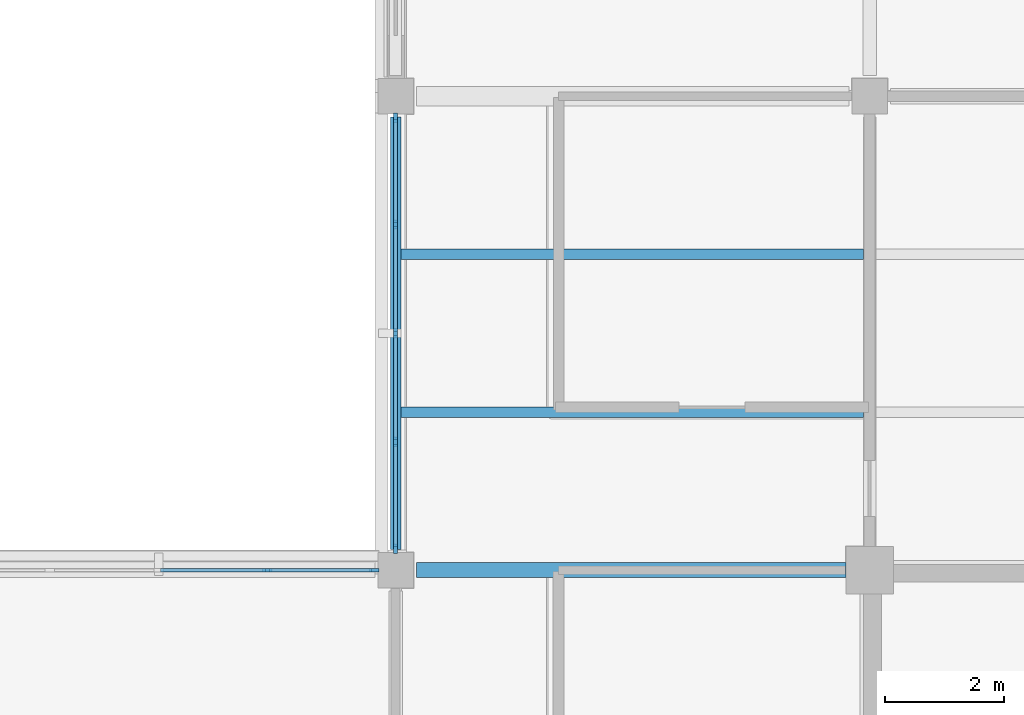
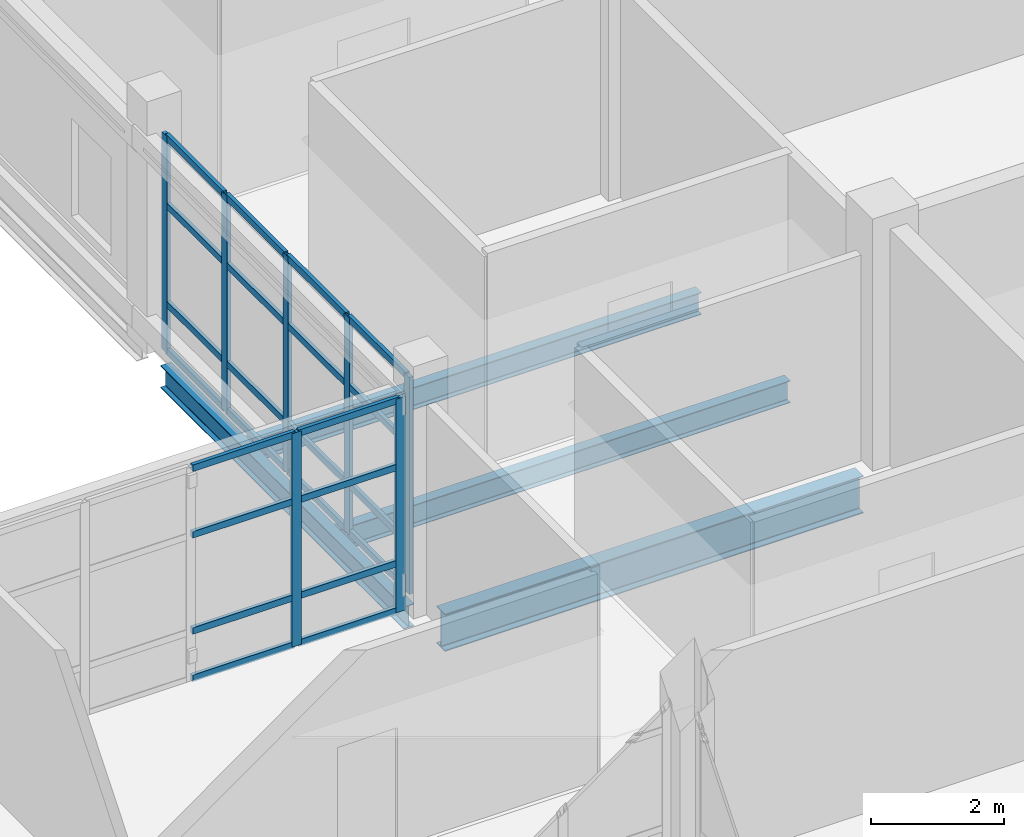
# One storey, part 21 of 121: 31 members, 4 beams, 2 elements without a shape of their own.
"""IFC4 building model written with IfcOpenShell, lengths in metres."""

from ifc_helpers import new_model, si_unit, derived_unit, direction, frame, origin, origin_2d, place, context, subcontext, project, spatial, rectangle, i_section, extrude, material, layer, layer_set, material_profile, profile_set, type_object, element, aggregate, save


model = new_model("IFC4")

# Units and contexts
model_context = context("Model", 3, precision=1e-05, world=origin(), true_north=direction((0.0, 1.0)))
body_context = subcontext(model_context, "Body", "Model", "MODEL_VIEW")
ifc_project = project(units=[si_unit("LENGTHUNIT", "METRE"), si_unit("AREAUNIT", "SQUARE_METRE"), si_unit("VOLUMEUNIT", "CUBIC_METRE"), si_unit("PLANEANGLEUNIT", "RADIAN"), si_unit("MASSUNIT", "GRAM", prefix="KILO"), derived_unit("THERMALTRANSMITTANCEUNIT", [(si_unit("MASSUNIT", "GRAM", prefix="KILO"), 1), (si_unit("TIMEUNIT", "SECOND"), -3), (si_unit("THERMODYNAMICTEMPERATUREUNIT", "KELVIN"), -1)])], contexts=[model_context])

# Site, building, storey
site_placement = place(None, origin())
site = spatial("IfcSite", under=ifc_project, at=site_placement, CompositionType="ELEMENT")
building_placement = place(site_placement, origin())
building = spatial("IfcBuilding", under=site, at=building_placement, Name="Veyamyaing Civic Hall", CompositionType="ELEMENT")
storey_placement = place(building_placement, frame((0.0, 0.0, 5.280029296875)))
storey = spatial("IfcBuildingStorey", under=building, at=storey_placement, Name="L01", CompositionType="ELEMENT", Elevation=5.280029296875)

# Beams
ifc_material_1 = material(Name="Steel ASTM A992", Category="steel")
ifc_material_profile_1 = material_profile(ifc_material_1, i_section(OverallWidth=0.179931640625, OverallDepth=0.4130859375, WebThickness=0.009765625, FlangeThickness=0.01611328125, FilletRadius=0.010009765625, at=origin_2d()), Name="W410X74")
ifc_profile_set_1 = profile_set([ifc_material_profile_1], Name="Steel ASTM A992")
beam_type_1 = type_object("IfcBeamType", Name="B-10", PredefinedType="SPANDREL", material=ifc_profile_set_1)
beam_1_placement = place(storey_placement, frame((56.0, 56.35009765625, -0.451416015625), z_axis=(0.0, 1.0, 0.0), x_axis=(-1.0, 0.0, 0.0)))
element("IfcBeam", 1, at=beam_1_placement, inside=storey, type_object=beam_type_1, Name="Girder B-10 L01 Grid 8 H-J", PredefinedType="SPANDREL", context=body_context, shape_type="SweptSolid", body=[
    extrude(i_section(OverallWidth=0.179931640625, OverallDepth=0.4130859375, WebThickness=0.009765625, FlangeThickness=0.01611328125, FilletRadius=0.010009765625, at=origin_2d()), origin(), (0.0, 0.0, 1.0), 7.2998046875),
])
ifc_material_profile_2 = material_profile(ifc_material_1, i_section(OverallWidth=0.25390625, OverallDepth=0.68408203125, WebThickness=0.012451171875, FlangeThickness=0.01904296875, FilletRadius=0.013916015625, at=origin_2d()), Name="W690X140")
ifc_profile_set_2 = profile_set([ifc_material_profile_2], Name="Steel ASTM A992")
beam_type_2 = type_object("IfcBeamType", Name="B-14", PredefinedType="BEAM", material=ifc_profile_set_2)
beam_2_placement = place(storey_placement, frame((56.35009765625, 56.0, -0.5869140625), z_axis=(1.0, 0.0, 0.0), x_axis=(0.0, 1.0, 0.0)))
element("IfcBeam", 2, at=beam_2_placement, inside=storey, type_object=beam_type_2, Name="Girder B-14 L01 Grid H 8-9", PredefinedType="BEAM", context=body_context, shape_type="SweptSolid", body=[
    extrude(i_section(OverallWidth=0.25390625, OverallDepth=0.68408203125, WebThickness=0.012451171875, FlangeThickness=0.01904296875, FilletRadius=0.013916015625, at=origin_2d()), origin(), (0.0, 0.0, 1.0), 7.25),
])

# Curtain wall, members
ifc_material_2 = material(Name="Anodised aluminium 6063-T6", Category="aluminium")
ifc_layer = layer(ifc_material_2, 0.159912109375, Name="Anodised aluminium 6063-T6")
ifc_layer_set = layer_set([ifc_layer], Name="Anodised aluminium 6063-T6")
curtain_wall_type = type_object("IfcCurtainWallType", Name="CW-02", PredefinedType="NOTDEFINED", material=ifc_layer_set)
curtain_wall_1_placement = place(storey_placement, origin())
curtain_wall_1 = element("IfcCurtainWall", 3, at=curtain_wall_1_placement, inside=storey, type_object=curtain_wall_type, Name="Unitized curtain wall CW-02 L01 N 7.7", PredefinedType="NOTDEFINED")
ifc_material_profile_3 = material_profile(ifc_material_2, rectangle(XDim=0.06494140625, YDim=0.159912109375, at=origin_2d()), Name="ALU-MUL-65X160")
ifc_profile_set_3 = profile_set([ifc_material_profile_3], Name="Anodised aluminium 6063-T6")
member_type_1 = type_object("IfcMemberType", Name="CWM-01", PredefinedType="MULLION", material=ifc_profile_set_3)
member_1_placement = place(storey_placement, frame((53.8349609375, 56.0, 0.0), z_axis=(0.0, 0.0, 1.0), x_axis=(0.0, 1.0, 0.0)))
member_1 = element("IfcMember", 4, at=member_1_placement, type_object=member_type_1, Name="CW-02 mullion 4", PredefinedType="MULLION", context=body_context, shape_type="SweptSolid", body=[
    extrude(rectangle(XDim=0.06494140625, YDim=0.159912109375, at=origin_2d()), origin(), (0.0, 0.0, 1.0), 3.9140625),
])
member_2_placement = place(storey_placement, frame((55.637451171875, 56.0, 0.0), z_axis=(0.0, 0.0, 1.0), x_axis=(0.0, 1.0, 0.0)))
member_2 = element("IfcMember", 5, at=member_2_placement, type_object=member_type_1, Name="CW-02 mullion 5", PredefinedType="MULLION", context=body_context, shape_type="SweptSolid", body=[
    extrude(rectangle(XDim=0.06494140625, YDim=0.159912109375, at=origin_2d()), origin(), (0.0, 0.0, 1.0), 3.9140625),
])

curtain_wall_2_placement = place(storey_placement, origin())
curtain_wall_2 = element("IfcCurtainWall", 6, at=curtain_wall_2_placement, inside=storey, type_object=curtain_wall_type, Name="Unitized curtain wall CW-02 L01 W 8.8", PredefinedType="NOTDEFINED")
member_3_placement = place(storey_placement, frame((56.0, 56.362548828125, 0.0), z_axis=(0.0, 0.0, 1.0), x_axis=(-1.0, 0.0, 0.0)))
member_3 = element("IfcMember", 7, at=member_3_placement, type_object=member_type_1, Name="CW-02 mullion 1", PredefinedType="MULLION", context=body_context, shape_type="SweptSolid", body=[
    extrude(rectangle(XDim=0.06494140625, YDim=0.159912109375, at=origin_2d()), origin(), (0.0, 0.0, 1.0), 3.97705078125),
])
member_4_placement = place(storey_placement, frame((56.0, 58.1650390625, 0.0), z_axis=(0.0, 0.0, 1.0), x_axis=(-1.0, 0.0, 0.0)))
member_4 = element("IfcMember", 8, at=member_4_placement, type_object=member_type_1, Name="CW-02 mullion 2", PredefinedType="MULLION", context=body_context, shape_type="SweptSolid", body=[
    extrude(rectangle(XDim=0.06494140625, YDim=0.159912109375, at=origin_2d()), origin(), (0.0, 0.0, 1.0), 3.97705078125),
])
member_5_placement = place(storey_placement, frame((56.0, 60.0, 0.0), z_axis=(0.0, 0.0, 1.0), x_axis=(-1.0, 0.0, 0.0)))
member_5 = element("IfcMember", 9, at=member_5_placement, type_object=member_type_1, Name="CW-02 mullion 3", PredefinedType="MULLION", context=body_context, shape_type="SweptSolid", body=[
    extrude(rectangle(XDim=0.06494140625, YDim=0.159912109375, at=origin_2d()), origin(), (0.0, 0.0, 1.0), 3.97705078125),
])
member_6_placement = place(storey_placement, frame((56.0, 61.8349609375, 0.0), z_axis=(0.0, 0.0, 1.0), x_axis=(-1.0, 0.0, 0.0)))
member_6 = element("IfcMember", 10, at=member_6_placement, type_object=member_type_1, Name="CW-02 mullion 4", PredefinedType="MULLION", context=body_context, shape_type="SweptSolid", body=[
    extrude(rectangle(XDim=0.06494140625, YDim=0.159912109375, at=origin_2d()), origin(), (0.0, 0.0, 1.0), 3.97705078125),
])
member_7_placement = place(storey_placement, frame((56.0, 63.637451171875, 0.0), z_axis=(0.0, 0.0, 1.0), x_axis=(-1.0, 0.0, 0.0)))
member_7 = element("IfcMember", 11, at=member_7_placement, type_object=member_type_1, Name="CW-02 mullion 5", PredefinedType="MULLION", context=body_context, shape_type="SweptSolid", body=[
    extrude(rectangle(XDim=0.06494140625, YDim=0.159912109375, at=origin_2d()), origin(), (0.0, 0.0, 1.0), 3.97705078125),
])

# Member
ifc_material_profile_4 = material_profile(ifc_material_2, rectangle(XDim=0.06494140625, YDim=0.1201171875, at=origin_2d()), Name="ALU-TRN-65X120")
ifc_profile_set_4 = profile_set([ifc_material_profile_4], Name="Anodised aluminium 6063-T6")
member_type_2 = type_object("IfcMemberType", Name="CWT-01", PredefinedType="USERDEFINED", material=ifc_profile_set_4)
member_8_placement = place(storey_placement, frame((52.032470703125, 56.0, 0.032470703125), z_axis=(1.0, 0.0, 0.0), x_axis=(0.0, 1.0, 0.0)))
member_8 = element("IfcMember", 12, at=member_8_placement, type_object=member_type_2, Name="CW-02 transom 3.1", ObjectType="TRANSOM", PredefinedType="USERDEFINED", context=body_context, shape_type="SweptSolid", body=[
    extrude(rectangle(XDim=0.06494140625, YDim=0.1201171875, at=origin_2d()), origin(), (0.0, 0.0, 1.0), 1.77001953125),
])

member_9_placement = place(storey_placement, frame((52.032470703125, 56.0, 0.89990234375), z_axis=(1.0, 0.0, 0.0), x_axis=(0.0, 1.0, 0.0)))
member_9 = element("IfcMember", 13, at=member_9_placement, type_object=member_type_2, Name="CW-02 transom 3.2", ObjectType="TRANSOM", PredefinedType="USERDEFINED", context=body_context, shape_type="SweptSolid", body=[
    extrude(rectangle(XDim=0.06494140625, YDim=0.1201171875, at=origin_2d()), origin(), (0.0, 0.0, 1.0), 1.77001953125),
])

member_10_placement = place(storey_placement, frame((52.032470703125, 56.0, 2.661376953125), z_axis=(1.0, 0.0, 0.0), x_axis=(0.0, 1.0, 0.0)))
member_10 = element("IfcMember", 14, at=member_10_placement, type_object=member_type_2, Name="CW-02 transom 3.3", ObjectType="TRANSOM", PredefinedType="USERDEFINED", context=body_context, shape_type="SweptSolid", body=[
    extrude(rectangle(XDim=0.06494140625, YDim=0.1201171875, at=origin_2d()), origin(), (0.0, 0.0, 1.0), 1.77001953125),
])

member_11_placement = place(storey_placement, frame((52.032470703125, 56.0, 3.881591796875), z_axis=(1.0, 0.0, 0.0), x_axis=(0.0, 1.0, 0.0)))
member_11 = element("IfcMember", 15, at=member_11_placement, type_object=member_type_2, Name="CW-02 transom 3.4", ObjectType="TRANSOM", PredefinedType="USERDEFINED", context=body_context, shape_type="SweptSolid", body=[
    extrude(rectangle(XDim=0.06494140625, YDim=0.1201171875, at=origin_2d()), origin(), (0.0, 0.0, 1.0), 1.77001953125),
])

member_12_placement = place(storey_placement, frame((53.867431640625, 56.0, 0.032470703125), z_axis=(1.0, 0.0, 0.0), x_axis=(0.0, 1.0, 0.0)))
member_12 = element("IfcMember", 16, at=member_12_placement, type_object=member_type_2, Name="CW-02 transom 4.1", ObjectType="TRANSOM", PredefinedType="USERDEFINED", context=body_context, shape_type="SweptSolid", body=[
    extrude(rectangle(XDim=0.06494140625, YDim=0.1201171875, at=origin_2d()), origin(), (0.0, 0.0, 1.0), 1.737548828125),
])

member_13_placement = place(storey_placement, frame((53.867431640625, 56.0, 0.89990234375), z_axis=(1.0, 0.0, 0.0), x_axis=(0.0, 1.0, 0.0)))
member_13 = element("IfcMember", 17, at=member_13_placement, type_object=member_type_2, Name="CW-02 transom 4.2", ObjectType="TRANSOM", PredefinedType="USERDEFINED", context=body_context, shape_type="SweptSolid", body=[
    extrude(rectangle(XDim=0.06494140625, YDim=0.1201171875, at=origin_2d()), origin(), (0.0, 0.0, 1.0), 1.737548828125),
])

member_14_placement = place(storey_placement, frame((53.867431640625, 56.0, 2.661376953125), z_axis=(1.0, 0.0, 0.0), x_axis=(0.0, 1.0, 0.0)))
member_14 = element("IfcMember", 18, at=member_14_placement, type_object=member_type_2, Name="CW-02 transom 4.3", ObjectType="TRANSOM", PredefinedType="USERDEFINED", context=body_context, shape_type="SweptSolid", body=[
    extrude(rectangle(XDim=0.06494140625, YDim=0.1201171875, at=origin_2d()), origin(), (0.0, 0.0, 1.0), 1.737548828125),
])

member_15_placement = place(storey_placement, frame((53.867431640625, 56.0, 3.881591796875), z_axis=(1.0, 0.0, 0.0), x_axis=(0.0, 1.0, 0.0)))
member_15 = element("IfcMember", 19, at=member_15_placement, type_object=member_type_2, Name="CW-02 transom 4.4", ObjectType="TRANSOM", PredefinedType="USERDEFINED", context=body_context, shape_type="SweptSolid", body=[
    extrude(rectangle(XDim=0.06494140625, YDim=0.1201171875, at=origin_2d()), origin(), (0.0, 0.0, 1.0), 1.737548828125),
])

aggregate(curtain_wall_1, [member_1, member_2, member_8, member_9, member_10, member_11, member_12, member_13, member_14, member_15])

member_16_placement = place(storey_placement, frame((56.0, 56.39501953125, 0.032470703125), z_axis=(0.0, 1.0, 0.0), x_axis=(-1.0, 0.0, 0.0)))
member_16 = element("IfcMember", 20, at=member_16_placement, type_object=member_type_2, Name="CW-02 transom 1.1", ObjectType="TRANSOM", PredefinedType="USERDEFINED", context=body_context, shape_type="SweptSolid", body=[
    extrude(rectangle(XDim=0.06494140625, YDim=0.1201171875, at=origin_2d()), origin(), (0.0, 0.0, 1.0), 1.737548828125),
])

member_17_placement = place(storey_placement, frame((56.0, 56.39501953125, 0.89990234375), z_axis=(0.0, 1.0, 0.0), x_axis=(-1.0, 0.0, 0.0)))
member_17 = element("IfcMember", 21, at=member_17_placement, type_object=member_type_2, Name="CW-02 transom 1.2", ObjectType="TRANSOM", PredefinedType="USERDEFINED", context=body_context, shape_type="SweptSolid", body=[
    extrude(rectangle(XDim=0.06494140625, YDim=0.1201171875, at=origin_2d()), origin(), (0.0, 0.0, 1.0), 1.737548828125),
])

member_18_placement = place(storey_placement, frame((56.0, 56.39501953125, 2.704345703125), z_axis=(0.0, 1.0, 0.0), x_axis=(-1.0, 0.0, 0.0)))
member_18 = element("IfcMember", 22, at=member_18_placement, type_object=member_type_2, Name="CW-02 transom 1.3", ObjectType="TRANSOM", PredefinedType="USERDEFINED", context=body_context, shape_type="SweptSolid", body=[
    extrude(rectangle(XDim=0.06494140625, YDim=0.1201171875, at=origin_2d()), origin(), (0.0, 0.0, 1.0), 1.737548828125),
])

member_19_placement = place(storey_placement, frame((56.0, 56.39501953125, 3.944580078125), z_axis=(0.0, 1.0, 0.0), x_axis=(-1.0, 0.0, 0.0)))
member_19 = element("IfcMember", 23, at=member_19_placement, type_object=member_type_2, Name="CW-02 transom 1.4", ObjectType="TRANSOM", PredefinedType="USERDEFINED", context=body_context, shape_type="SweptSolid", body=[
    extrude(rectangle(XDim=0.06494140625, YDim=0.1201171875, at=origin_2d()), origin(), (0.0, 0.0, 1.0), 1.737548828125),
])

member_20_placement = place(storey_placement, frame((56.0, 58.197509765625, 0.032470703125), z_axis=(0.0, 1.0, 0.0), x_axis=(-1.0, 0.0, 0.0)))
member_20 = element("IfcMember", 24, at=member_20_placement, type_object=member_type_2, Name="CW-02 transom 2.1", ObjectType="TRANSOM", PredefinedType="USERDEFINED", context=body_context, shape_type="SweptSolid", body=[
    extrude(rectangle(XDim=0.06494140625, YDim=0.1201171875, at=origin_2d()), origin(), (0.0, 0.0, 1.0), 1.77001953125),
])

member_21_placement = place(storey_placement, frame((56.0, 58.197509765625, 0.89990234375), z_axis=(0.0, 1.0, 0.0), x_axis=(-1.0, 0.0, 0.0)))
member_21 = element("IfcMember", 25, at=member_21_placement, type_object=member_type_2, Name="CW-02 transom 2.2", ObjectType="TRANSOM", PredefinedType="USERDEFINED", context=body_context, shape_type="SweptSolid", body=[
    extrude(rectangle(XDim=0.06494140625, YDim=0.1201171875, at=origin_2d()), origin(), (0.0, 0.0, 1.0), 1.77001953125),
])

member_22_placement = place(storey_placement, frame((56.0, 58.197509765625, 2.704345703125), z_axis=(0.0, 1.0, 0.0), x_axis=(-1.0, 0.0, 0.0)))
member_22 = element("IfcMember", 26, at=member_22_placement, type_object=member_type_2, Name="CW-02 transom 2.3", ObjectType="TRANSOM", PredefinedType="USERDEFINED", context=body_context, shape_type="SweptSolid", body=[
    extrude(rectangle(XDim=0.06494140625, YDim=0.1201171875, at=origin_2d()), origin(), (0.0, 0.0, 1.0), 1.77001953125),
])

member_23_placement = place(storey_placement, frame((56.0, 58.197509765625, 3.944580078125), z_axis=(0.0, 1.0, 0.0), x_axis=(-1.0, 0.0, 0.0)))
member_23 = element("IfcMember", 27, at=member_23_placement, type_object=member_type_2, Name="CW-02 transom 2.4", ObjectType="TRANSOM", PredefinedType="USERDEFINED", context=body_context, shape_type="SweptSolid", body=[
    extrude(rectangle(XDim=0.06494140625, YDim=0.1201171875, at=origin_2d()), origin(), (0.0, 0.0, 1.0), 1.77001953125),
])

member_24_placement = place(storey_placement, frame((56.0, 60.032470703125, 0.032470703125), z_axis=(0.0, 1.0, 0.0), x_axis=(-1.0, 0.0, 0.0)))
member_24 = element("IfcMember", 28, at=member_24_placement, type_object=member_type_2, Name="CW-02 transom 3.1", ObjectType="TRANSOM", PredefinedType="USERDEFINED", context=body_context, shape_type="SweptSolid", body=[
    extrude(rectangle(XDim=0.06494140625, YDim=0.1201171875, at=origin_2d()), origin(), (0.0, 0.0, 1.0), 1.77001953125),
])

member_25_placement = place(storey_placement, frame((56.0, 60.032470703125, 0.89990234375), z_axis=(0.0, 1.0, 0.0), x_axis=(-1.0, 0.0, 0.0)))
member_25 = element("IfcMember", 29, at=member_25_placement, type_object=member_type_2, Name="CW-02 transom 3.2", ObjectType="TRANSOM", PredefinedType="USERDEFINED", context=body_context, shape_type="SweptSolid", body=[
    extrude(rectangle(XDim=0.06494140625, YDim=0.1201171875, at=origin_2d()), origin(), (0.0, 0.0, 1.0), 1.77001953125),
])

member_26_placement = place(storey_placement, frame((56.0, 60.032470703125, 2.704345703125), z_axis=(0.0, 1.0, 0.0), x_axis=(-1.0, 0.0, 0.0)))
member_26 = element("IfcMember", 30, at=member_26_placement, type_object=member_type_2, Name="CW-02 transom 3.3", ObjectType="TRANSOM", PredefinedType="USERDEFINED", context=body_context, shape_type="SweptSolid", body=[
    extrude(rectangle(XDim=0.06494140625, YDim=0.1201171875, at=origin_2d()), origin(), (0.0, 0.0, 1.0), 1.77001953125),
])

member_27_placement = place(storey_placement, frame((56.0, 60.032470703125, 3.944580078125), z_axis=(0.0, 1.0, 0.0), x_axis=(-1.0, 0.0, 0.0)))
member_27 = element("IfcMember", 31, at=member_27_placement, type_object=member_type_2, Name="CW-02 transom 3.4", ObjectType="TRANSOM", PredefinedType="USERDEFINED", context=body_context, shape_type="SweptSolid", body=[
    extrude(rectangle(XDim=0.06494140625, YDim=0.1201171875, at=origin_2d()), origin(), (0.0, 0.0, 1.0), 1.77001953125),
])

member_28_placement = place(storey_placement, frame((56.0, 61.867431640625, 0.032470703125), z_axis=(0.0, 1.0, 0.0), x_axis=(-1.0, 0.0, 0.0)))
member_28 = element("IfcMember", 32, at=member_28_placement, type_object=member_type_2, Name="CW-02 transom 4.1", ObjectType="TRANSOM", PredefinedType="USERDEFINED", context=body_context, shape_type="SweptSolid", body=[
    extrude(rectangle(XDim=0.06494140625, YDim=0.1201171875, at=origin_2d()), origin(), (0.0, 0.0, 1.0), 1.737548828125),
])

member_29_placement = place(storey_placement, frame((56.0, 61.867431640625, 0.89990234375), z_axis=(0.0, 1.0, 0.0), x_axis=(-1.0, 0.0, 0.0)))
member_29 = element("IfcMember", 33, at=member_29_placement, type_object=member_type_2, Name="CW-02 transom 4.2", ObjectType="TRANSOM", PredefinedType="USERDEFINED", context=body_context, shape_type="SweptSolid", body=[
    extrude(rectangle(XDim=0.06494140625, YDim=0.1201171875, at=origin_2d()), origin(), (0.0, 0.0, 1.0), 1.737548828125),
])

member_30_placement = place(storey_placement, frame((56.0, 61.867431640625, 2.704345703125), z_axis=(0.0, 1.0, 0.0), x_axis=(-1.0, 0.0, 0.0)))
member_30 = element("IfcMember", 34, at=member_30_placement, type_object=member_type_2, Name="CW-02 transom 4.3", ObjectType="TRANSOM", PredefinedType="USERDEFINED", context=body_context, shape_type="SweptSolid", body=[
    extrude(rectangle(XDim=0.06494140625, YDim=0.1201171875, at=origin_2d()), origin(), (0.0, 0.0, 1.0), 1.737548828125),
])

member_31_placement = place(storey_placement, frame((56.0, 61.867431640625, 3.944580078125), z_axis=(0.0, 1.0, 0.0), x_axis=(-1.0, 0.0, 0.0)))
member_31 = element("IfcMember", 35, at=member_31_placement, type_object=member_type_2, Name="CW-02 transom 4.4", ObjectType="TRANSOM", PredefinedType="USERDEFINED", context=body_context, shape_type="SweptSolid", body=[
    extrude(rectangle(XDim=0.06494140625, YDim=0.1201171875, at=origin_2d()), origin(), (0.0, 0.0, 1.0), 1.737548828125),
])

aggregate(curtain_wall_2, [member_3, member_4, member_5, member_6, member_7, member_16, member_17, member_18, member_19, member_20, member_21, member_22, member_23, member_24, member_25, member_26, member_27, member_28, member_29, member_30, member_31])

# Beams
ifc_material_profile_5 = material_profile(ifc_material_1, i_section(OverallWidth=0.177978515625, OverallDepth=0.406982421875, WebThickness=0.0078125, FlangeThickness=0.0126953125, FilletRadius=0.010009765625, at=origin_2d()), Name="W410X60")
ifc_profile_set_5 = profile_set([ifc_material_profile_5], Name="Steel ASTM A992")
beam_type_3 = type_object("IfcBeamType", Name="J-01", PredefinedType="JOIST", material=ifc_profile_set_5)
for number, where, z_axis, x_axis, name in (
    (36, (56.087890625, 58.666748046875, -0.448486328125), (1.0, 0.0, 0.0), (0.0, 1.0, 0.0), "Composite floor joist J-01 L01 8.8.1"),
    (37, (56.087890625, 61.333251953125, -0.448486328125), (1.0, 0.0, 0.0), (0.0, 1.0, 0.0), "Composite floor joist J-01 L01 8.8.2"),
):
    element("IfcBeam", number, at=place(storey_placement, frame(where, z_axis=z_axis, x_axis=x_axis)), inside=storey, type_object=beam_type_3, Name=name, PredefinedType="JOIST", context=body_context, shape_type="SweptSolid", body=[
        extrude(i_section(OverallWidth=0.177978515625, OverallDepth=0.406982421875, WebThickness=0.0078125, FlangeThickness=0.0126953125, FilletRadius=0.010009765625, at=origin_2d()), origin(), (0.0, 0.0, 1.0), 7.80712890625),
    ])

save(model, "model.ifc")
